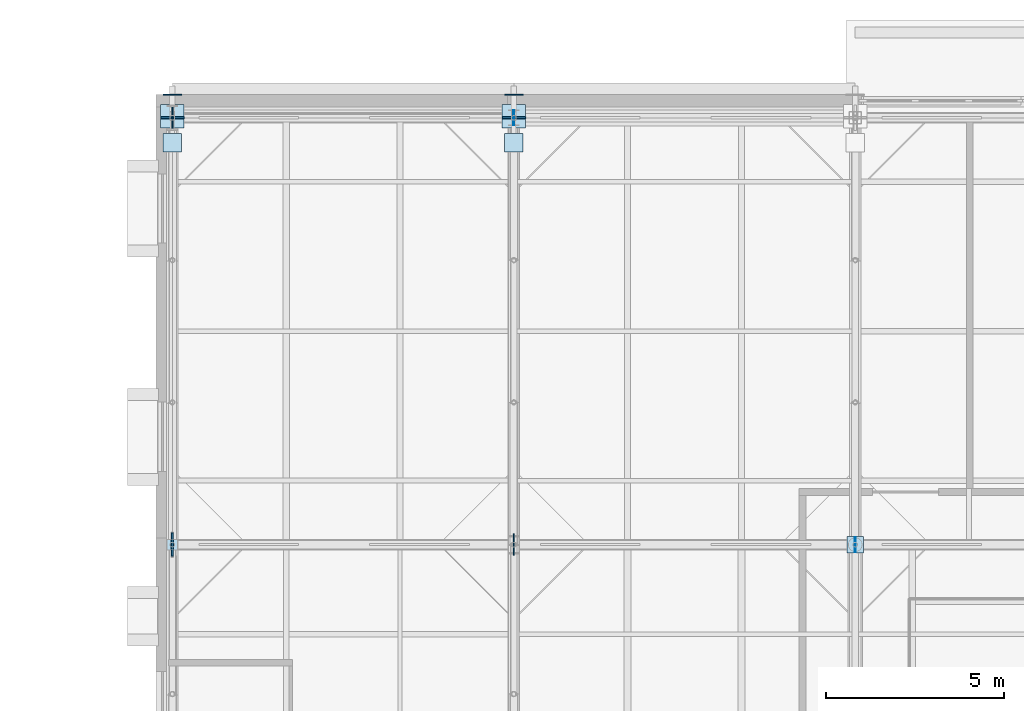
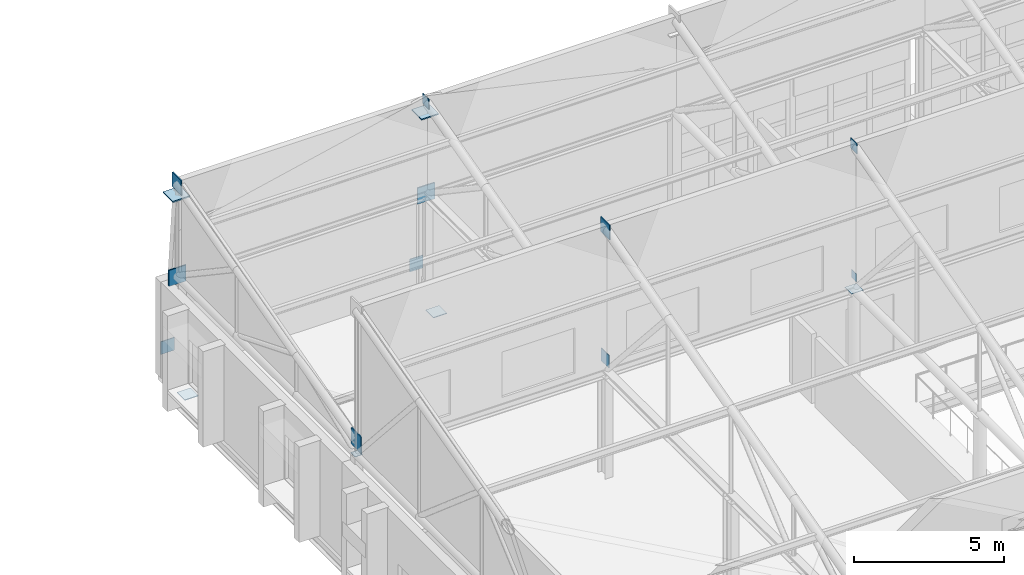
# One storey, part 71 of 89: 17 plates.
"""IFC4 building model written with IfcOpenShell, lengths in metres."""

from ifc_helpers import new_model, si_unit, direction, frame, origin, origin_2d, place, context, subcontext, project, spatial, rectangle, extrude, material, layer, layer_set, type_object, element, save


model = new_model("IFC4")

# Units and contexts
model_context = context("Model", 3, precision=1e-05, world=origin(), true_north=direction((0.0, 1.0)))
body_context = subcontext(model_context, "Body", "Model", "MODEL_VIEW")
ifc_project = project(units=[si_unit("LENGTHUNIT", "METRE"), si_unit("AREAUNIT", "SQUARE_METRE"), si_unit("VOLUMEUNIT", "CUBIC_METRE"), si_unit("PLANEANGLEUNIT", "RADIAN"), si_unit("MASSUNIT", "GRAM", prefix="KILO")], contexts=[model_context])

# Site, building, storey
site_placement = place(None, origin())
site = spatial("IfcSite", under=ifc_project, at=site_placement, CompositionType="ELEMENT")
building_placement = place(site_placement, origin())
building = spatial("IfcBuilding", under=site, at=building_placement, Name="Zereglee Splitstone Museum", CompositionType="ELEMENT")
storey_placement = place(building_placement, frame((0.0, 0.0, 21.300048828125)))
storey = spatial("IfcBuildingStorey", under=building, at=storey_placement, Name="L04", CompositionType="ELEMENT", Elevation=21.300048828125)

# Plates
ifc_material = material(Name="Steel S355J2", Category="steel")
ifc_layer_1 = layer(ifc_material, 0.02001953125)
ifc_layer_set_1 = layer_set([ifc_layer_1], Name="Steel S355J2")
plate_type_1 = type_object("IfcPlateType", Name="EC-01", PredefinedType="SHEET", material=ifc_layer_set_1)
plate_1_placement = place(storey_placement, frame((97.199951171875, 38.39990234375, 4.199951171875), z_axis=(0.0, 0.0, 1.0), x_axis=(1.0, 0.0, 0.0)))
element("IfcPlate", 1, at=plate_1_placement, inside=storey, type_object=plate_type_1, Name="Hollow Column End-Cap Plate EC-01 (97.2,38.4)", PredefinedType="SHEET", context=body_context, shape_type="SweptSolid", body=[
    extrude(rectangle(XDim=0.4599609375, YDim=0.4599609375, at=origin_2d()), origin(), (0.0, 0.0, 1.0), 0.02001953125),
])
ifc_layer_2 = layer(ifc_material, 0.01611328125)
ifc_layer_set_2 = layer_set([ifc_layer_2], Name="Steel S355J2")
plate_type_2 = type_object("IfcPlateType", Name="EC-02", PredefinedType="SHEET", material=ifc_layer_set_2)
plate_2_placement = place(storey_placement, frame((78.0, 38.39990234375, 4.199951171875), z_axis=(0.0, 0.0, 1.0), x_axis=(1.0, 0.0, 0.0)))
element("IfcPlate", 2, at=plate_2_placement, inside=storey, type_object=plate_type_2, Name="Hollow Column End-Cap Plate EC-02 (78.0,38.4)", PredefinedType="SHEET", context=body_context, shape_type="SweptSolid", body=[
    extrude(rectangle(XDim=0.300048828125, YDim=0.300048828125, at=origin_2d()), origin(), (0.0, 0.0, 1.0), 0.01611328125),
])
ifc_layer_3 = layer(ifc_material, 0.011962890625)
ifc_layer_set_3 = layer_set([ifc_layer_3], Name="Steel S355J2")
plate_type_3 = type_object("IfcPlateType", Name="NP-06", PredefinedType="SHEET", material=ifc_layer_set_3)
plate_3_placement = place(storey_placement, frame((97.199951171875, 38.39990234375, 4.580078125), z_axis=(0.0, 0.0, 1.0), x_axis=(1.0, 0.0, 0.0)))
element("IfcPlate", 3, at=plate_3_placement, inside=storey, type_object=plate_type_3, Name="Sawtooth Truss Node Plate TN-03-3.0", PredefinedType="SHEET", context=body_context, shape_type="SweptSolid", body=[
    extrude(rectangle(XDim=0.011962890625, YDim=0.340087890625, at=origin_2d()), origin(), (0.0, 0.0, 1.0), 0.340087890625),
])
ifc_layer_4 = layer(ifc_material, 0.02001953125)
ifc_layer_set_4 = layer_set([ifc_layer_4], Name="Steel S355J2")
plate_type_4 = type_object("IfcPlateType", Name="NP-05", PredefinedType="SHEET", material=ifc_layer_set_4)
for number, where, z_axis, x_axis, name in (
    (4, (87.60009765625, 50.39990234375, 7.739990234375), (0.0, 0.0, 1.0), (1.0, 0.0, 0.0), "Sawtooth Truss Node Plate TN-02-3.3"),
    (5, (97.199951171875, 38.39990234375, 9.840087890625), (0.0, 0.0, 1.0), (1.0, 0.0, 0.0), "Sawtooth Truss Node Plate TN-03-2.4"),
):
    element("IfcPlate", number, at=place(storey_placement, frame(where, z_axis=z_axis, x_axis=x_axis)), inside=storey, type_object=plate_type_4, Name=name, PredefinedType="SHEET", context=body_context, shape_type="SweptSolid", body=[
        extrude(rectangle(XDim=0.02001953125, YDim=0.419921875, at=origin_2d()), origin(), (0.0, 0.0, 1.0), 0.419921875),
    ])
ifc_layer_5 = layer(ifc_material, 0.030029296875)
ifc_layer_set_5 = layer_set([ifc_layer_5], Name="Steel S355J2")
plate_type_5 = type_object("IfcPlateType", Name="NP-04", PredefinedType="SHEET", material=ifc_layer_set_5)
plate_4_placement = place(storey_placement, frame((87.60009765625, 38.39990234375, 4.489990234375), z_axis=(0.0, 0.0, 1.0), x_axis=(1.0, 0.0, 0.0)))
element("IfcPlate", 6, at=plate_4_placement, inside=storey, type_object=plate_type_5, Name="Sawtooth Truss Node Plate TN-02-3.0", PredefinedType="SHEET", context=body_context, shape_type="SweptSolid", body=[
    extrude(rectangle(XDim=0.030029296875, YDim=0.52001953125, at=origin_2d()), origin(), (0.0, 0.0, 1.0), 0.52001953125),
])
plate_5_placement = place(storey_placement, frame((78.0, 49.699951171875, -0.23486328125), z_axis=(0.0, 0.0, 1.0), x_axis=(1.0, 0.0, 0.0)))
element("IfcPlate", 7, at=plate_5_placement, inside=storey, type_object=plate_type_5, Name="Facet Tie Seal Plate FH-V2NW", PredefinedType="SHEET", context=body_context, shape_type="SweptSolid", body=[
    extrude(rectangle(XDim=0.52001953125, YDim=0.52001953125, at=origin_2d()), origin(), (0.0, 0.0, 1.0), 0.030029296875),
])
plate_6_placement = place(storey_placement, frame((78.0, 51.04443359375, 0.679931640625), z_axis=(0.0, 0.0, 1.0), x_axis=(1.0, 0.0, 0.0)))
element("IfcPlate", 8, at=plate_6_placement, inside=storey, type_object=plate_type_5, Name="Facet Tie Seal Plate FH-V2NW", PredefinedType="SHEET", context=body_context, shape_type="SweptSolid", body=[
    extrude(rectangle(XDim=0.52001953125, YDim=0.030029296875, at=origin_2d()), origin(), (0.0, 0.0, 1.0), 0.52001953125),
])
plate_7_placement = place(storey_placement, frame((87.60009765625, 49.699951171875, -0.23486328125), z_axis=(0.0, 0.0, 1.0), x_axis=(1.0, 0.0, 0.0)))
element("IfcPlate", 9, at=plate_7_placement, inside=storey, type_object=plate_type_5, Name="Facet Tie Seal Plate FH-V2NW", PredefinedType="SHEET", context=body_context, shape_type="SweptSolid", body=[
    extrude(rectangle(XDim=0.52001953125, YDim=0.52001953125, at=origin_2d()), origin(), (0.0, 0.0, 1.0), 0.030029296875),
])
plate_8_placement = place(storey_placement, frame((87.60009765625, 51.04443359375, 0.679931640625), z_axis=(0.0, 0.0, 1.0), x_axis=(1.0, 0.0, 0.0)))
element("IfcPlate", 10, at=plate_8_placement, inside=storey, type_object=plate_type_5, Name="Facet Tie Seal Plate FH-V2NW", PredefinedType="SHEET", context=body_context, shape_type="SweptSolid", body=[
    extrude(rectangle(XDim=0.52001953125, YDim=0.030029296875, at=origin_2d()), origin(), (0.0, 0.0, 1.0), 0.52001953125),
])
ifc_layer_6 = layer(ifc_material, 0.0400390625)
ifc_layer_set_6 = layer_set([ifc_layer_6], Name="Steel S355J2")
plate_type_6 = type_object("IfcPlateType", Name="NP-03", PredefinedType="SHEET", material=ifc_layer_set_6)
for number, where, z_axis, x_axis, name in (
    (11, (78.0, 50.39990234375, 7.64990234375), (0.0, 0.0, 1.0), (1.0, 0.0, 0.0), "Sawtooth Truss Node Plate TN-01-3.3"),
    (12, (87.60009765625, 38.39990234375, 9.75), (0.0, 0.0, 1.0), (1.0, 0.0, 0.0), "Sawtooth Truss Node Plate TN-02-2.4"),
):
    element("IfcPlate", number, at=place(storey_placement, frame(where, z_axis=z_axis, x_axis=x_axis)), inside=storey, type_object=plate_type_6, Name=name, PredefinedType="SHEET", context=body_context, shape_type="SweptSolid", body=[
        extrude(rectangle(XDim=0.0400390625, YDim=0.60009765625, at=origin_2d()), origin(), (0.0, 0.0, 1.0), 0.60009765625),
    ])
ifc_layer_7 = layer(ifc_material, 0.050048828125)
ifc_layer_set_7 = layer_set([ifc_layer_7], Name="Steel S355J2")
plate_type_7 = type_object("IfcPlateType", Name="NP-02", PredefinedType="SHEET", material=ifc_layer_set_7)
plate_9_placement = place(storey_placement, frame((78.0, 38.39990234375, 4.419921875), z_axis=(0.0, 0.0, 1.0), x_axis=(1.0, 0.0, 0.0)))
element("IfcPlate", 13, at=plate_9_placement, inside=storey, type_object=plate_type_7, Name="Sawtooth Truss Node Plate TN-01-3.0", PredefinedType="SHEET", context=body_context, shape_type="SweptSolid", body=[
    extrude(rectangle(XDim=0.050048828125, YDim=0.659912109375, at=origin_2d()), origin(), (0.0, 0.0, 1.0), 0.659912109375),
])
for number, where, z_axis, x_axis, name in (
    (14, (78.0, 50.39990234375, 3.8701171875), (0.0, 0.0, 1.0), (1.0, 0.0, 0.0), "Sawtooth Bottom Chord End Cap ST-01"),
    (15, (87.60009765625, 50.39990234375, 3.8701171875), (0.0, 0.0, 1.0), (1.0, 0.0, 0.0), "Sawtooth Bottom Chord End Cap ST-02"),
):
    element("IfcPlate", number, at=place(storey_placement, frame(where, z_axis=z_axis, x_axis=x_axis)), inside=storey, type_object=plate_type_7, Name=name, PredefinedType="SHEET", context=body_context, shape_type="SweptSolid", body=[
        extrude(rectangle(XDim=0.659912109375, YDim=0.050048828125, at=origin_2d()), origin(), (0.0, 0.0, 1.0), 0.659912109375),
    ])
for number, where, z_axis, x_axis, name in (
    (16, (78.0, 50.447509765625, 7.455078125), (0.0, 0.0, 1.0), (1.0, 0.0, 0.0), "Facet Strut Seal Plate FH-V2NW"),
    (17, (87.60009765625, 50.447509765625, 7.455078125), (0.0, 0.0, 1.0), (1.0, 0.0, 0.0), "Facet Strut Seal Plate FH-V2NW"),
):
    element("IfcPlate", number, at=place(storey_placement, frame(where, z_axis=z_axis, x_axis=x_axis)), inside=storey, type_object=plate_type_7, Name=name, PredefinedType="SHEET", context=body_context, shape_type="SweptSolid", body=[
        extrude(rectangle(XDim=0.659912109375, YDim=0.659912109375, at=origin_2d()), origin(), (0.0, 0.0, 1.0), 0.050048828125),
    ])

save(model, "model.ifc")
